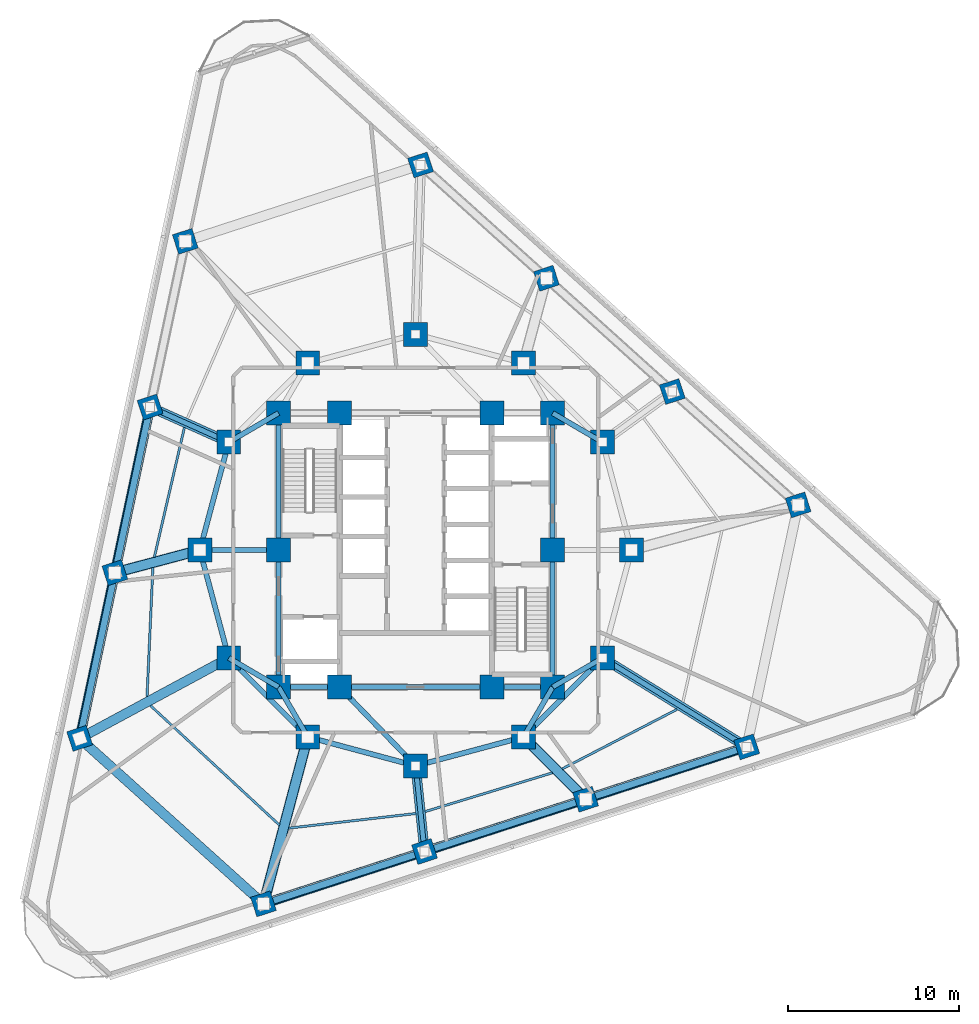
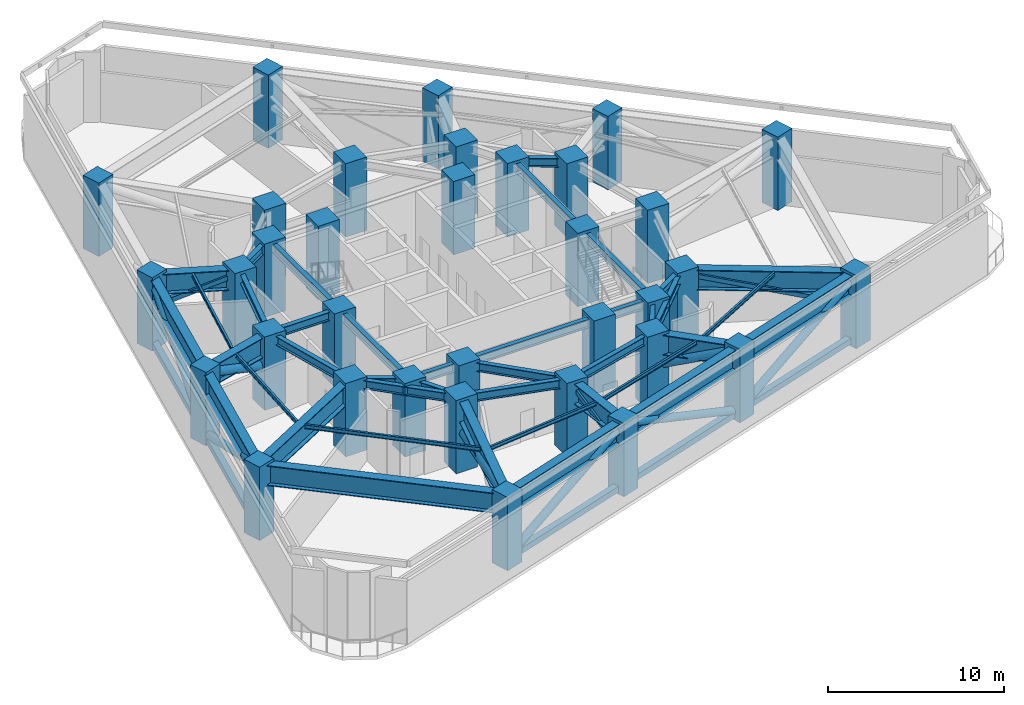
# One storey, part 1 of 10: 40 beams, 34 columns, 16 members.
"""IFC4 building model written with IfcOpenShell, lengths in metres."""

from ifc_helpers import new_model, si_unit, direction, frame, origin, origin_2d, place, context, subcontext, project, spatial, rectangle, hollow_rectangle, hollow_circle, i_section, extrude, material, material_profile, profile_set, type_object, element, save


model = new_model("IFC4")

# Units and contexts
model_context = context("Model", 3, precision=1e-05, world=origin(), true_north=direction((0.0, 1.0)))
body_context = subcontext(model_context, "Body", "Model", "MODEL_VIEW")
ifc_project = project(units=[si_unit("LENGTHUNIT", "METRE"), si_unit("AREAUNIT", "SQUARE_METRE"), si_unit("VOLUMEUNIT", "CUBIC_METRE"), si_unit("PLANEANGLEUNIT", "RADIAN"), si_unit("MASSUNIT", "GRAM", prefix="KILO")], contexts=[model_context])

# Site, building, storey
site_placement = place(None, origin())
site = spatial("IfcSite", under=ifc_project, at=site_placement, CompositionType="ELEMENT")
building_placement = place(site_placement, origin())
building = spatial("IfcBuilding", under=site, at=building_placement, Name="Terralouvre Media Tower", CompositionType="ELEMENT")
storey_placement = place(building_placement, frame((0.0, 0.0, 85.199951171875)))
storey = spatial("IfcBuildingStorey", under=building, at=storey_placement, Name="L21", CompositionType="ELEMENT", Elevation=85.199951171875)

# Columns
ifc_material_1 = material(Name="Concrete C60/75", Category="concrete")
ifc_material_profile_1 = material_profile(ifc_material_1, rectangle(XDim=1.199951171875, YDim=1.199951171875, at=origin_2d()), Name="RC 1200x1200")
ifc_profile_set_1 = profile_set([ifc_material_profile_1], Name="Concrete C60/75")
column_type_1 = type_object("IfcColumnType", Name="Structural Column C-RC1200 (RC 1200x1200)", PredefinedType="COLUMN", material=ifc_profile_set_1)
for number, where, z_axis, x_axis, name in (
    (1, (-8.883056640625, -20.658203125, 0.0), (0.0, 0.0, 1.0), (0.951056516295, 0.309016994375, 0.0), "L21 Perimeter Mega-Column PC11"),
    (2, (0.52099609375, -17.6025390625, 0.0), (0.0, 0.0, 1.0), (0.951056516295, 0.309016994375, 0.0), "L21 Perimeter Mega-Column PC12"),
    (3, (9.925048828125, -14.547119140625, 0.0), (0.0, 0.0, 1.0), (0.951056516295, 0.309016994375, 0.0), "L21 Perimeter Mega-Column PC13"),
    (4, (19.3291015625, -11.491455078125, 0.0), (0.0, 0.0, 1.0), (0.951056516295, 0.309016994375, 0.0), "L21 Perimeter Mega-Column PC14"),
    (5, (22.33203125, 2.63623046875, 0.0), (0.0, 0.0, 1.0), (0.951056516295, 0.309016994375, 0.0), "L21 Perimeter Mega-Column PC21"),
    (6, (14.98388671875, 9.25244140625, 0.0), (0.0, 0.0, 1.0), (0.951056516295, 0.309016994375, 0.0), "L21 Perimeter Mega-Column PC22"),
    (7, (7.635498046875, 15.868896484375, 0.0), (0.0, 0.0, 1.0), (0.951056516295, 0.309016994375, 0.0), "L21 Perimeter Mega-Column PC23"),
    (8, (0.287353515625, 22.4853515625, 0.0), (0.0, 0.0, 1.0), (0.951056516295, 0.309016994375, 0.0), "L21 Perimeter Mega-Column PC24"),
    (9, (-13.448974609375, 18.02197265625, 0.0), (0.0, 0.0, 1.0), (0.951056516295, 0.309016994375, 0.0), "L21 Perimeter Mega-Column PC31"),
    (10, (-15.5048828125, 8.35009765625, 0.0), (0.0, 0.0, 1.0), (0.951056516295, 0.309016994375, 0.0), "L21 Perimeter Mega-Column PC32"),
    (11, (-17.560791015625, -1.32177734375, 0.0), (0.0, 0.0, 1.0), (0.951056516295, 0.309016994375, 0.0), "L21 Perimeter Mega-Column PC33"),
    (12, (-19.616455078125, -10.99365234375, 0.0), (0.0, 0.0, 1.0), (0.951056516295, 0.309016994375, 0.0), "L21 Perimeter Mega-Column PC34"),
):
    element("IfcColumn", number, at=place(storey_placement, frame(where, z_axis=z_axis, x_axis=x_axis)), inside=storey, type_object=column_type_1, Name=name, PredefinedType="COLUMN", context=body_context, shape_type="SweptSolid", body=[
        extrude(rectangle(XDim=1.199951171875, YDim=1.199951171875, at=origin_2d()), origin(), (0.0, 0.0, 1.0), 5.10009765625),
    ])
ifc_material_2 = material(Name="Concrete C60/75", Category="concrete")
ifc_material_profile_2 = material_profile(ifc_material_2, rectangle(XDim=1.39990234375, YDim=1.39990234375, at=origin_2d()), Name="RC 1400x1400")
ifc_profile_set_2 = profile_set([ifc_material_profile_2], Name="Concrete C60/75")
column_type_2 = type_object("IfcColumnType", Name="Structural Column C-RC1400 (RC 1400x1400)", PredefinedType="COLUMN", material=ifc_profile_set_2)
for number, where, z_axis, x_axis, name in (
    (13, (-8.0, -8.0, 0.0), (0.0, 0.0, 1.0), (1.0, 0.0, 0.0), "L21 Core Pilaster Column CP1"),
    (14, (-4.449951171875, -8.0, 0.0), (0.0, 0.0, 1.0), (1.0, 0.0, 0.0), "L21 Core Pilaster Column CP2"),
    (15, (4.449951171875, -8.0, 0.0), (0.0, 0.0, 1.0), (1.0, 0.0, 0.0), "L21 Core Pilaster Column CP10"),
    (16, (8.0, -8.0, 0.0), (0.0, 0.0, 1.0), (1.0, 0.0, 0.0), "L21 Core Pilaster Column CP3"),
    (17, (8.0, 0.0, 0.0), (0.0, 0.0, 1.0), (1.0, 0.0, 0.0), "L21 Core Pilaster Column CP4"),
    (18, (8.0, 8.0, 0.0), (0.0, 0.0, 1.0), (1.0, 0.0, 0.0), "L21 Core Pilaster Column CP5"),
    (19, (4.449951171875, 8.0, 0.0), (0.0, 0.0, 1.0), (1.0, 0.0, 0.0), "L21 Core Pilaster Column CP9"),
    (20, (-4.449951171875, 8.0, 0.0), (0.0, 0.0, 1.0), (1.0, 0.0, 0.0), "L21 Core Pilaster Column CP6"),
    (21, (-8.0, 8.0, 0.0), (0.0, 0.0, 1.0), (1.0, 0.0, 0.0), "L21 Core Pilaster Column CP7"),
    (22, (-8.0, 0.0, 0.0), (0.0, 0.0, 1.0), (1.0, 0.0, 0.0), "L21 Core Pilaster Column CP8"),
    (23, (12.60009765625, 0.0, 0.0), (0.0, 0.0, 1.0), (1.0, 0.0, 0.0), "L21 Mega-Frame Column MC01"),
    (24, (10.911865234375, 6.300048828125, 0.0), (0.0, 0.0, 1.0), (1.0, 0.0, 0.0), "L21 Mega-Frame Column MC02"),
    (25, (6.300048828125, 10.911865234375, 0.0), (0.0, 0.0, 1.0), (1.0, 0.0, 0.0), "L21 Mega-Frame Column MC03"),
    (26, (0.0, 12.60009765625, 0.0), (0.0, 0.0, 1.0), (1.0, 0.0, 0.0), "L21 Mega-Frame Column MC04"),
    (27, (-6.300048828125, 10.911865234375, 0.0), (0.0, 0.0, 1.0), (1.0, 0.0, 0.0), "L21 Mega-Frame Column MC05"),
    (28, (-10.911865234375, 6.300048828125, 0.0), (0.0, 0.0, 1.0), (1.0, 0.0, 0.0), "L21 Mega-Frame Column MC06"),
    (29, (-12.60009765625, 0.0, 0.0), (0.0, 0.0, 1.0), (1.0, 0.0, 0.0), "L21 Mega-Frame Column MC07"),
    (30, (-10.911865234375, -6.300048828125, 0.0), (0.0, 0.0, 1.0), (1.0, 0.0, 0.0), "L21 Mega-Frame Column MC08"),
    (31, (-6.300048828125, -10.911865234375, 0.0), (0.0, 0.0, 1.0), (1.0, 0.0, 0.0), "L21 Mega-Frame Column MC09"),
    (32, (0.0, -12.60009765625, 0.0), (0.0, 0.0, 1.0), (1.0, 0.0, 0.0), "L21 Mega-Frame Column MC10"),
    (33, (6.300048828125, -10.911865234375, 0.0), (0.0, 0.0, 1.0), (1.0, 0.0, 0.0), "L21 Mega-Frame Column MC11"),
    (34, (10.911865234375, -6.300048828125, 0.0), (0.0, 0.0, 1.0), (1.0, 0.0, 0.0), "L21 Mega-Frame Column MC12"),
):
    element("IfcColumn", number, at=place(storey_placement, frame(where, z_axis=z_axis, x_axis=x_axis)), inside=storey, type_object=column_type_2, Name=name, PredefinedType="COLUMN", context=body_context, shape_type="SweptSolid", body=[
        extrude(rectangle(XDim=1.39990234375, YDim=1.39990234375, at=origin_2d()), origin(), (0.0, 0.0, 1.0), 5.10009765625),
    ])

# Members
ifc_material_3 = material(Name="Structural steel S460M", Category="steel")
ifc_material_profile_3 = material_profile(ifc_material_3, hollow_circle(Radius=0.25390625, WallThickness=0.02490234375, at=origin_2d()), Name="CHS 508x25")
ifc_profile_set_3 = profile_set([ifc_material_profile_3], Name="Structural steel S460M")
member_type_1 = type_object("IfcMemberType", Name="Belt and Outrigger Brace BR-CHS508 (CHS 508x25)", PredefinedType="BRACE", material=ifc_profile_set_3)
for number, where, z_axis, x_axis, name in (
    (35, (-8.883056640625, -20.658203125, 0.35009765625), (0.875362455238, 0.284432007315, 0.39094629449), (-0.309026334389, 0.95105348149, 0.0), "L21 Belt-Truss Diagonal Brace BT01"),
    (36, (0.52099609375, -17.6025390625, 4.550048828125), (0.875368113279, 0.284411120166, -0.390948821432), (-0.309004001506, 0.951060737836, 0.0), "L21 Belt-Truss Diagonal Brace BT02"),
    (37, (9.925048828125, -14.547119140625, 0.35009765625), (0.875362455238, 0.284432007315, 0.39094629449), (-0.309026334389, 0.95105348149, 0.0), "L21 Belt-Truss Diagonal Brace BT03"),
    (38, (-15.5048828125, 8.35009765625, 4.550048828125), (-0.19137233219, -0.900297626413, -0.39094860832), (0.97814579678, -0.207920177572, 0.0), "L21 Belt-Truss Diagonal Brace BT08"),
    (39, (-17.560791015625, -1.32177734375, 0.35009765625), (-0.191350438729, -0.900301541648, 0.390950308486), (0.978150818017, -0.207896554112, 0.0), "L21 Belt-Truss Diagonal Brace BT09"),
):
    element("IfcMember", number, at=place(storey_placement, frame(where, z_axis=z_axis, x_axis=x_axis)), inside=storey, type_object=member_type_1, Name=name, PredefinedType="BRACE", context=body_context, shape_type="SweptSolid", body=[
        extrude(hollow_circle(Radius=0.25390625, WallThickness=0.02490234375, at=origin_2d()), origin(), (0.0, 0.0, 1.0), 10.742919921875),
    ])
ifc_material_4 = material(Name="Structural steel S460M", Category="steel")
ifc_material_profile_4 = material_profile(ifc_material_4, hollow_circle(Radius=0.304931640625, WallThickness=0.030029296875, at=origin_2d()), Name="CHS 610x30")
ifc_profile_set_4 = profile_set([ifc_material_profile_4], Name="Structural steel S460M")
member_type_2 = type_object("IfcMemberType", Name="Belt and Outrigger Brace BR-CHS610 (CHS 610x30)", PredefinedType="BRACE", material=ifc_profile_set_4)
member_1_placement = place(storey_placement, frame((-6.300048828125, -10.911865234375, 2.550048828125), z_axis=(-0.251283623632, -0.94815628913, 0.194566677201), x_axis=(0.966629256144, -0.25617939255, 0.0)))
element("IfcMember", 40, at=member_1_placement, inside=storey, type_object=member_type_2, Name="L21 Outrigger Diagonal Brace OR01", PredefinedType="BRACE", context=body_context, shape_type="SweptSolid", body=[
    extrude(hollow_circle(Radius=0.304931640625, WallThickness=0.030029296875, at=origin_2d()), origin(), (0.0, 0.0, 1.0), 10.279296875),
])
for number, where, z_axis, x_axis, name in (
    (41, (6.300048828125, -10.911865234375, 2.550048828125), (0.65794245915, -0.659803557162, 0.363002736083), (0.708104746185, 0.706107405732, 0.0), "L21 Outrigger Diagonal Brace OR02"),
    (42, (-12.60009765625, 0.0, 2.550048828125), (-0.90037444063, -0.23990487827, 0.363003465606), (0.257467291449, -0.966287014212, 0.0), "L21 Outrigger Diagonal Brace OR06"),
):
    element("IfcMember", number, at=place(storey_placement, frame(where, z_axis=z_axis, x_axis=x_axis)), inside=storey, type_object=member_type_2, Name=name, PredefinedType="BRACE", context=body_context, shape_type="SweptSolid", body=[
        extrude(hollow_circle(Radius=0.304931640625, WallThickness=0.030029296875, at=origin_2d()), origin(), (0.0, 0.0, 1.0), 5.509521484375),
    ])

# Beams
ifc_material_5 = material(Name="Structural steel S355J2", Category="steel")
ifc_material_profile_5 = material_profile(ifc_material_5, i_section(OverallWidth=0.135009765625, OverallDepth=0.27001953125, WebThickness=0.006591796875, FlangeThickness=0.01025390625, at=origin_2d()), Name="IPE 270")
ifc_profile_set_5 = profile_set([ifc_material_profile_5], Name="Structural steel S355J2")
beam_type_1 = type_object("IfcBeamType", Name="Composite Floor Joist J-IPE270 (IPE 270)", PredefinedType="JOIST", material=ifc_profile_set_5)
beam_1_placement = place(storey_placement, frame((-15.341552734375, -1.018310546875, 4.76513671875), z_axis=(-0.045451683491, -0.998966538212, 0.0), x_axis=(0.998966538212, -0.045451683491, 0.0)))
element("IfcBeam", 43, at=beam_1_placement, inside=storey, type_object=beam_type_1, Name="L21 Framing Beam JT-L21-01", PredefinedType="JOIST", context=body_context, shape_type="SweptSolid", body=[
    extrude(i_section(OverallWidth=0.135009765625, OverallDepth=0.27001953125, WebThickness=0.006591796875, FlangeThickness=0.01025390625, at=origin_2d()), origin(), (0.0, 0.0, 1.0), 7.546875),
])
beam_2_placement = place(storey_placement, frame((-15.48388671875, -9.081298828125, 4.76513671875), z_axis=(0.7336263107, -0.679553115104, 0.0), x_axis=(0.679553115104, 0.7336263107, 0.0)))
element("IfcBeam", 44, at=beam_2_placement, inside=storey, type_object=beam_type_1, Name="L21 Framing Beam JT-L21-02", PredefinedType="JOIST", context=body_context, shape_type="SweptSolid", body=[
    extrude(i_section(OverallWidth=0.135009765625, OverallDepth=0.27001953125, WebThickness=0.006591796875, FlangeThickness=0.01025390625, at=origin_2d()), origin(), (0.0, 0.0, 1.0), 10.26708984375),
])
beam_3_placement = place(storey_placement, frame((-7.423828125, -16.23828125, 4.76513671875), z_axis=(0.993451447392, 0.114255072866, 0.0), x_axis=(-0.114255072866, 0.993451447392, 0.0)))
element("IfcBeam", 45, at=beam_3_placement, inside=storey, type_object=beam_type_1, Name="L21 Framing Beam JT-L21-03", PredefinedType="JOIST", context=body_context, shape_type="SweptSolid", body=[
    extrude(i_section(OverallWidth=0.135009765625, OverallDepth=0.27001953125, WebThickness=0.006591796875, FlangeThickness=0.01025390625, at=origin_2d()), origin(), (0.0, 0.0, 1.0), 7.483154296875),
])
beam_4_placement = place(storey_placement, frame((0.5576171875, -15.268798828125, 4.76513671875), z_axis=(0.956571489727, 0.291497830252, 0.0), x_axis=(-0.291497830252, 0.956571489727, 0.0)))
element("IfcBeam", 46, at=beam_4_placement, inside=storey, type_object=beam_type_1, Name="L21 Framing Beam JT-L21-04", PredefinedType="JOIST", context=body_context, shape_type="SweptSolid", body=[
    extrude(i_section(OverallWidth=0.135009765625, OverallDepth=0.27001953125, WebThickness=0.006591796875, FlangeThickness=0.01025390625, at=origin_2d()), origin(), (0.0, 0.0, 1.0), 7.7724609375),
])
beam_5_placement = place(storey_placement, frame((8.552734375, -12.777099609375, 4.76513671875), z_axis=(0.887863690326, 0.460106582653, 0.0), x_axis=(-0.460106582653, 0.887863690326, 0.0)))
element("IfcBeam", 47, at=beam_5_placement, inside=storey, type_object=beam_type_1, Name="L21 Framing Beam JT-L21-05", PredefinedType="JOIST", context=body_context, shape_type="SweptSolid", body=[
    extrude(i_section(OverallWidth=0.135009765625, OverallDepth=0.27001953125, WebThickness=0.006591796875, FlangeThickness=0.01025390625, at=origin_2d()), origin(), (0.0, 0.0, 1.0), 7.546875),
])
beam_6_placement = place(storey_placement, frame((-13.501953125, 7.151611328125, 4.76513671875), z_axis=(-0.22584123423, -0.974164122169, 0.0), x_axis=(0.974164122169, -0.22584123423, 0.0)))
element("IfcBeam", 48, at=beam_6_placement, inside=storey, type_object=beam_type_1, Name="L21 Framing Beam JT-L21-12", PredefinedType="JOIST", context=body_context, shape_type="SweptSolid", body=[
    extrude(i_section(OverallWidth=0.135009765625, OverallDepth=0.27001953125, WebThickness=0.006591796875, FlangeThickness=0.01025390625, at=origin_2d()), origin(), (0.0, 0.0, 1.0), 7.772705078125),
])

# Members
ifc_material_6 = material(Name="Structural steel S355J2", Category="steel")
ifc_material_profile_6 = material_profile(ifc_material_6, hollow_rectangle(XDim=0.300048828125, YDim=0.300048828125, WallThickness=0.01611328125, at=origin_2d()), Name="SHS 300x300x16")
ifc_profile_set_6 = profile_set([ifc_material_profile_6], Name="Structural steel S355J2")
member_type_3 = type_object("IfcMemberType", Name="Portal Knee-Brace Strut ST-SHS300 (SHS 300x300x16)", PredefinedType="STRUT", material=ifc_profile_set_6)
member_2_placement = place(storey_placement, frame((0.0, -12.60009765625, 4.550048828125), z_axis=(0.096256787636, -0.924227543893, -0.369510592463), x_axis=(0.994620284536, 0.103588076486, 0.0)))
element("IfcMember", 49, at=member_2_placement, inside=storey, type_object=member_type_3, Name="L21 Refuge Outrigger Knee-Brace Strut 01", PredefinedType="STRUT", context=body_context, shape_type="SweptSolid", body=[
    extrude(hollow_rectangle(XDim=0.300048828125, YDim=0.300048828125, WallThickness=0.01611328125, at=origin_2d()), origin(), (0.0, 0.0, 1.0), 5.41259765625),
])
member_3_placement = place(storey_placement, frame((10.911865234375, -6.300048828125, 4.550048828125), z_axis=(0.834246559055, -0.514529072476, -0.198223389848), x_axis=(0.524945637565, 0.851135757445, 0.0)))
element("IfcMember", 50, at=member_3_placement, inside=storey, type_object=member_type_3, Name="L21 Refuge Outrigger Knee-Brace Strut 02", PredefinedType="STRUT", context=body_context, shape_type="SweptSolid", body=[
    extrude(hollow_rectangle(XDim=0.300048828125, YDim=0.300048828125, WallThickness=0.01611328125, at=origin_2d()), origin(), (0.0, 0.0, 1.0), 10.089599609375),
])
member_4_placement = place(storey_placement, frame((-10.911865234375, 6.300048828125, 4.550048828125), z_axis=(-0.848545892033, 0.378740225132, -0.36949385784), x_axis=(-0.407583625196, -0.913167886247, 0.0)))
element("IfcMember", 51, at=member_4_placement, inside=storey, type_object=member_type_3, Name="L21 Refuge Outrigger Knee-Brace Strut 05", PredefinedType="STRUT", context=body_context, shape_type="SweptSolid", body=[
    extrude(hollow_rectangle(XDim=0.300048828125, YDim=0.300048828125, WallThickness=0.01611328125, at=origin_2d()), origin(), (0.0, 0.0, 1.0), 5.412841796875),
])

# Beams
ifc_material_7 = material(Name="Structural steel S460M", Category="steel")
ifc_material_profile_7 = material_profile(ifc_material_7, i_section(OverallWidth=0.300048828125, OverallDepth=0.60009765625, WebThickness=0.015380859375, FlangeThickness=0.030029296875, at=origin_2d()), Name="HEB 600")
ifc_profile_set_7 = profile_set([ifc_material_profile_7], Name="Structural steel S460M")
beam_type_2 = type_object("IfcBeamType", Name="Primary Floor Girder B-HEB600 (HEB 600)", PredefinedType="BEAM", material=ifc_profile_set_7)
beam_7_placement = place(storey_placement, frame((-8.0, -8.0, 4.60009765625), z_axis=(1.0, 0.0, 0.0), x_axis=(0.0, 1.0, 0.0)))
element("IfcBeam", 52, at=beam_7_placement, inside=storey, type_object=beam_type_2, Name="L21 Framing Beam BM-L21-CPR01", PredefinedType="BEAM", context=body_context, shape_type="SweptSolid", body=[
    extrude(i_section(OverallWidth=0.300048828125, OverallDepth=0.60009765625, WebThickness=0.015380859375, FlangeThickness=0.030029296875, at=origin_2d()), origin(), (0.0, 0.0, 1.0), 3.550048828125),
])
beam_8_placement = place(storey_placement, frame((-4.449951171875, -8.0, 4.60009765625), z_axis=(1.0, 0.0, 0.0), x_axis=(0.0, 1.0, 0.0)))
element("IfcBeam", 53, at=beam_8_placement, inside=storey, type_object=beam_type_2, Name="L21 Framing Beam BM-L21-CPR02", PredefinedType="BEAM", context=body_context, shape_type="SweptSolid", body=[
    extrude(i_section(OverallWidth=0.300048828125, OverallDepth=0.60009765625, WebThickness=0.015380859375, FlangeThickness=0.030029296875, at=origin_2d()), origin(), (0.0, 0.0, 1.0), 8.89990234375),
])
beam_9_placement = place(storey_placement, frame((4.449951171875, -8.0, 4.60009765625), z_axis=(1.0, 0.0, 0.0), x_axis=(0.0, 1.0, 0.0)))
element("IfcBeam", 54, at=beam_9_placement, inside=storey, type_object=beam_type_2, Name="L21 Framing Beam BM-L21-CPR03", PredefinedType="BEAM", context=body_context, shape_type="SweptSolid", body=[
    extrude(i_section(OverallWidth=0.300048828125, OverallDepth=0.60009765625, WebThickness=0.015380859375, FlangeThickness=0.030029296875, at=origin_2d()), origin(), (0.0, 0.0, 1.0), 3.550048828125),
])
for number, where, z_axis, x_axis, name in (
    (55, (8.0, -8.0, 4.60009765625), (0.0, 1.0, 0.0), (-1.0, 0.0, 0.0), "L21 Framing Beam BM-L21-CPR04"),
    (56, (8.0, 0.0, 4.60009765625), (0.0, 1.0, 0.0), (-1.0, 0.0, 0.0), "L21 Framing Beam BM-L21-CPR05"),
    (57, (-8.0, 8.0, 4.60009765625), (0.0, -1.0, 0.0), (1.0, 0.0, 0.0), "L21 Framing Beam BM-L21-CPR09"),
    (58, (-8.0, 0.0, 4.60009765625), (0.0, -1.0, 0.0), (1.0, 0.0, 0.0), "L21 Framing Beam BM-L21-CPR10"),
):
    element("IfcBeam", number, at=place(storey_placement, frame(where, z_axis=z_axis, x_axis=x_axis)), inside=storey, type_object=beam_type_2, Name=name, PredefinedType="BEAM", context=body_context, shape_type="SweptSolid", body=[
        extrude(i_section(OverallWidth=0.300048828125, OverallDepth=0.60009765625, WebThickness=0.015380859375, FlangeThickness=0.030029296875, at=origin_2d()), origin(), (0.0, 0.0, 1.0), 8.0),
    ])
beam_10_placement = place(storey_placement, frame((-10.911865234375, -6.300048828125, 4.60009765625), z_axis=(0.707106781187, -0.707106781187, 0.0), x_axis=(0.707106781187, 0.707106781187, 0.0)))
element("IfcBeam", 59, at=beam_10_placement, inside=storey, type_object=beam_type_2, Name="L21 Framing Beam BM-L21-MR01", PredefinedType="BEAM", context=body_context, shape_type="SweptSolid", body=[
    extrude(i_section(OverallWidth=0.300048828125, OverallDepth=0.60009765625, WebThickness=0.015380859375, FlangeThickness=0.030029296875, at=origin_2d()), origin(), (0.0, 0.0, 1.0), 6.52197265625),
])
for number, where, z_axis, x_axis, name in (
    (60, (-6.300048828125, -10.911865234375, 4.60009765625), (0.965920481897, -0.258838989821, 0.0), (0.258838989821, 0.965920481897, 0.0), "L21 Framing Beam BM-L21-MR02"),
    (61, (0.0, -12.60009765625, 4.60009765625), (0.965920481897, 0.258838989821, 0.0), (-0.258838989821, 0.965920481897, 0.0), "L21 Framing Beam BM-L21-MR03"),
):
    element("IfcBeam", number, at=place(storey_placement, frame(where, z_axis=z_axis, x_axis=x_axis)), inside=storey, type_object=beam_type_2, Name=name, PredefinedType="BEAM", context=body_context, shape_type="SweptSolid", body=[
        extrude(i_section(OverallWidth=0.300048828125, OverallDepth=0.60009765625, WebThickness=0.015380859375, FlangeThickness=0.030029296875, at=origin_2d()), origin(), (0.0, 0.0, 1.0), 6.522216796875),
    ])
beam_11_placement = place(storey_placement, frame((6.300048828125, -10.911865234375, 4.60009765625), z_axis=(0.707106781187, 0.707106781187, 0.0), x_axis=(-0.707106781187, 0.707106781187, 0.0)))
element("IfcBeam", 62, at=beam_11_placement, inside=storey, type_object=beam_type_2, Name="L21 Framing Beam BM-L21-MR04", PredefinedType="BEAM", context=body_context, shape_type="SweptSolid", body=[
    extrude(i_section(OverallWidth=0.300048828125, OverallDepth=0.60009765625, WebThickness=0.015380859375, FlangeThickness=0.030029296875, at=origin_2d()), origin(), (0.0, 0.0, 1.0), 6.52197265625),
])
for number, where, z_axis, x_axis, name in (
    (63, (-10.911865234375, 6.300048828125, 4.60009765625), (-0.258838989821, -0.965920481897, 0.0), (0.965920481897, -0.258838989821, 0.0), "L21 Framing Beam BM-L21-MR11"),
    (64, (-12.60009765625, 0.0, 4.60009765625), (0.258838989821, -0.965920481897, 0.0), (0.965920481897, 0.258838989821, 0.0), "L21 Framing Beam BM-L21-MR12"),
):
    element("IfcBeam", number, at=place(storey_placement, frame(where, z_axis=z_axis, x_axis=x_axis)), inside=storey, type_object=beam_type_2, Name=name, PredefinedType="BEAM", context=body_context, shape_type="SweptSolid", body=[
        extrude(i_section(OverallWidth=0.300048828125, OverallDepth=0.60009765625, WebThickness=0.015380859375, FlangeThickness=0.030029296875, at=origin_2d()), origin(), (0.0, 0.0, 1.0), 6.522216796875),
    ])
for number, where, z_axis, x_axis, name in (
    (65, (-8.0, -8.0, 4.60009765625), (-0.863602894532, 0.504172629717, 0.0), (-0.504172629717, -0.863602894532, 0.0), "L21 Framing Beam BM-L21-CM01"),
    (66, (-8.0, -8.0, 4.60009765625), (0.504172629717, -0.863602894532, 0.0), (0.863602894532, 0.504172629717, 0.0), "L21 Framing Beam BM-L21-CM02"),
):
    element("IfcBeam", number, at=place(storey_placement, frame(where, z_axis=z_axis, x_axis=x_axis)), inside=storey, type_object=beam_type_2, Name=name, PredefinedType="BEAM", context=body_context, shape_type="SweptSolid", body=[
        extrude(i_section(OverallWidth=0.300048828125, OverallDepth=0.60009765625, WebThickness=0.015380859375, FlangeThickness=0.030029296875, at=origin_2d()), origin(), (0.0, 0.0, 1.0), 3.371826171875),
    ])
beam_12_placement = place(storey_placement, frame((-4.449951171875, -8.0, 4.60009765625), z_axis=(0.695279715726, -0.718739255155, 0.0), x_axis=(0.718739255155, 0.695279715726, 0.0)))
element("IfcBeam", 67, at=beam_12_placement, inside=storey, type_object=beam_type_2, Name="L21 Framing Beam BM-L21-CM03", PredefinedType="BEAM", context=body_context, shape_type="SweptSolid", body=[
    extrude(i_section(OverallWidth=0.300048828125, OverallDepth=0.60009765625, WebThickness=0.015380859375, FlangeThickness=0.030029296875, at=origin_2d()), origin(), (0.0, 0.0, 1.0), 6.400146484375),
])
for number, where, z_axis, x_axis, name in (
    (68, (8.0, -8.0, 4.60009765625), (-0.504172629717, -0.863602894532, 0.0), (0.863602894532, -0.504172629717, 0.0), "L21 Framing Beam BM-L21-CM04"),
    (69, (8.0, -8.0, 4.60009765625), (0.863602894532, 0.504172629717, 0.0), (-0.504172629717, 0.863602894532, 0.0), "L21 Framing Beam BM-L21-CM05"),
    (70, (8.0, 8.0, 4.60009765625), (0.863602894532, -0.504172629717, 0.0), (0.504172629717, 0.863602894532, 0.0), "L21 Framing Beam BM-L21-CM07"),
    (71, (-8.0, 8.0, 4.60009765625), (-0.863602894532, -0.504172629717, 0.0), (0.504172629717, -0.863602894532, 0.0), "L21 Framing Beam BM-L21-CM11"),
):
    element("IfcBeam", number, at=place(storey_placement, frame(where, z_axis=z_axis, x_axis=x_axis)), inside=storey, type_object=beam_type_2, Name=name, PredefinedType="BEAM", context=body_context, shape_type="SweptSolid", body=[
        extrude(i_section(OverallWidth=0.300048828125, OverallDepth=0.60009765625, WebThickness=0.015380859375, FlangeThickness=0.030029296875, at=origin_2d()), origin(), (0.0, 0.0, 1.0), 3.371826171875),
    ])
beam_13_placement = place(storey_placement, frame((-8.0, 0.0, 4.60009765625), z_axis=(-1.0, 0.0, 0.0), x_axis=(0.0, -1.0, 0.0)))
element("IfcBeam", 72, at=beam_13_placement, inside=storey, type_object=beam_type_2, Name="L21 Framing Beam BM-L21-CM12", PredefinedType="BEAM", context=body_context, shape_type="SweptSolid", body=[
    extrude(i_section(OverallWidth=0.300048828125, OverallDepth=0.60009765625, WebThickness=0.015380859375, FlangeThickness=0.030029296875, at=origin_2d()), origin(), (0.0, 0.0, 1.0), 4.60009765625),
])

# Members
ifc_material_8 = material(Name="Structural steel S460M", Category="steel")
ifc_material_profile_8 = material_profile(ifc_material_8, hollow_rectangle(XDim=0.39990234375, YDim=0.39990234375, WallThickness=0.02001953125, at=origin_2d()), Name="SHS 400x400x20")
ifc_profile_set_8 = profile_set([ifc_material_profile_8], Name="Structural steel S460M")
member_type_4 = type_object("IfcMemberType", Name="Truss Chord Member CH-SHS400 (SHS 400x400x20)", PredefinedType="CHORD", material=ifc_profile_set_8)
for number, where, z_axis, x_axis, name in (
    (73, (-8.883056640625, -20.658203125, 0.35009765625), (0.95105348149, 0.309026334389, 0.0), (-0.309026334389, 0.95105348149, 0.0), "L21 Belt-Truss Bottom Chord 01"),
    (74, (0.52099609375, -17.6025390625, 0.35009765625), (0.951060737836, 0.309004001506, 0.0), (-0.309004001506, 0.951060737836, 0.0), "L21 Belt-Truss Bottom Chord 02"),
    (75, (9.925048828125, -14.547119140625, 0.35009765625), (0.95105348149, 0.309026334389, 0.0), (-0.309026334389, 0.95105348149, 0.0), "L21 Belt-Truss Bottom Chord 03"),
    (76, (-15.5048828125, 8.35009765625, 0.35009765625), (-0.207920177572, -0.97814579678, 0.0), (0.97814579678, -0.207920177572, 0.0), "L21 Belt-Truss Bottom Chord 08"),
    (77, (-17.560791015625, -1.32177734375, 0.35009765625), (-0.207896554112, -0.978150818017, 0.0), (0.978150818017, -0.207896554112, 0.0), "L21 Belt-Truss Bottom Chord 09"),
):
    element("IfcMember", number, at=place(storey_placement, frame(where, z_axis=z_axis, x_axis=x_axis)), inside=storey, type_object=member_type_4, Name=name, PredefinedType="CHORD", context=body_context, shape_type="SweptSolid", body=[
        extrude(hollow_rectangle(XDim=0.39990234375, YDim=0.39990234375, WallThickness=0.02001953125, at=origin_2d()), origin(), (0.0, 0.0, 1.0), 9.887939453125),
    ])

# Beams
ifc_material_9 = material(Name="Structural steel S460M", Category="steel")
ifc_material_profile_9 = material_profile(ifc_material_9, i_section(OverallWidth=0.56005859375, OverallDepth=1.39990234375, WebThickness=0.031982421875, FlangeThickness=0.050048828125, at=origin_2d()), Name="TG 1400x560")
ifc_profile_set_9 = profile_set([ifc_material_profile_9], Name="Structural steel S460M")
beam_type_3 = type_object("IfcBeamType", Name="Welded Transfer Girder TG-1400 (TG 1400x560)", PredefinedType="USERDEFINED", material=ifc_profile_set_9)
beam_14_placement = place(storey_placement, frame((-17.560791015625, -1.32177734375, 4.199951171875), z_axis=(-0.207896554112, -0.978150818017, 0.0), x_axis=(0.978150818017, -0.207896554112, 0.0)))
element("IfcBeam", 78, at=beam_14_placement, inside=storey, type_object=beam_type_3, Name="L21 Framing Beam BM-L21-PR01", ObjectType="TRANSFER GIRDER", PredefinedType="USERDEFINED", context=body_context, shape_type="SweptSolid", body=[
    extrude(i_section(OverallWidth=0.56005859375, OverallDepth=1.39990234375, WebThickness=0.031982421875, FlangeThickness=0.050048828125, at=origin_2d()), origin(), (0.0, 0.0, 1.0), 9.887939453125),
])
beam_15_placement = place(storey_placement, frame((-19.616455078125, -10.99365234375, 4.199951171875), z_axis=(0.743139474617, -0.669136549044, 0.0), x_axis=(0.669136549044, 0.743139474617, 0.0)))
element("IfcBeam", 79, at=beam_15_placement, inside=storey, type_object=beam_type_3, Name="L21 Framing Beam BM-L21-PR02", ObjectType="TRANSFER GIRDER", PredefinedType="USERDEFINED", context=body_context, shape_type="SweptSolid", body=[
    extrude(i_section(OverallWidth=0.56005859375, OverallDepth=1.39990234375, WebThickness=0.031982421875, FlangeThickness=0.050048828125, at=origin_2d()), origin(), (0.0, 0.0, 1.0), 14.443359375),
])
for number, where, z_axis, x_axis, name in (
    (80, (-8.883056640625, -20.658203125, 4.199951171875), (0.95105348149, 0.309026334389, 0.0), (-0.309026334389, 0.95105348149, 0.0), "L21 Framing Beam BM-L21-PR03"),
    (81, (0.52099609375, -17.6025390625, 4.199951171875), (0.951060737836, 0.309004001506, 0.0), (-0.309004001506, 0.951060737836, 0.0), "L21 Framing Beam BM-L21-PR04"),
    (82, (9.925048828125, -14.547119140625, 4.199951171875), (0.95105348149, 0.309026334389, 0.0), (-0.309026334389, 0.95105348149, 0.0), "L21 Framing Beam BM-L21-PR05"),
    (83, (-15.5048828125, 8.35009765625, 4.199951171875), (-0.207920177572, -0.97814579678, 0.0), (0.97814579678, -0.207920177572, 0.0), "L21 Framing Beam BM-L21-PR12"),
):
    element("IfcBeam", number, at=place(storey_placement, frame(where, z_axis=z_axis, x_axis=x_axis)), inside=storey, type_object=beam_type_3, Name=name, ObjectType="TRANSFER GIRDER", PredefinedType="USERDEFINED", context=body_context, shape_type="SweptSolid", body=[
        extrude(i_section(OverallWidth=0.56005859375, OverallDepth=1.39990234375, WebThickness=0.031982421875, FlangeThickness=0.050048828125, at=origin_2d()), origin(), (0.0, 0.0, 1.0), 9.887939453125),
    ])
beam_16_placement = place(storey_placement, frame((-12.60009765625, 0.0, 4.199951171875), z_axis=(-0.966287014212, -0.257467291449, 0.0), x_axis=(0.257467291449, -0.966287014212, 0.0)))
element("IfcBeam", 84, at=beam_16_placement, inside=storey, type_object=beam_type_3, Name="L21 Framing Beam BM-L21-RD01", ObjectType="TRANSFER GIRDER", PredefinedType="USERDEFINED", context=body_context, shape_type="SweptSolid", body=[
    extrude(i_section(OverallWidth=0.56005859375, OverallDepth=1.39990234375, WebThickness=0.031982421875, FlangeThickness=0.050048828125, at=origin_2d()), origin(), (0.0, 0.0, 1.0), 5.1337890625),
])
beam_17_placement = place(storey_placement, frame((-10.911865234375, -6.300048828125, 4.199951171875), z_axis=(-0.880195882447, -0.47461058619, 0.0), x_axis=(0.47461058619, -0.880195882447, 0.0)))
element("IfcBeam", 85, at=beam_17_placement, inside=storey, type_object=beam_type_3, Name="L21 Framing Beam BM-L21-RD02", ObjectType="TRANSFER GIRDER", PredefinedType="USERDEFINED", context=body_context, shape_type="SweptSolid", body=[
    extrude(i_section(OverallWidth=0.56005859375, OverallDepth=1.39990234375, WebThickness=0.031982421875, FlangeThickness=0.050048828125, at=origin_2d()), origin(), (0.0, 0.0, 1.0), 9.889404296875),
])
beam_18_placement = place(storey_placement, frame((-6.300048828125, -10.911865234375, 4.199951171875), z_axis=(-0.25617939255, -0.966629256144, 0.0), x_axis=(0.966629256144, -0.25617939255, 0.0)))
element("IfcBeam", 86, at=beam_18_placement, inside=storey, type_object=beam_type_3, Name="L21 Framing Beam BM-L21-RD03", ObjectType="TRANSFER GIRDER", PredefinedType="USERDEFINED", context=body_context, shape_type="SweptSolid", body=[
    extrude(i_section(OverallWidth=0.56005859375, OverallDepth=1.39990234375, WebThickness=0.031982421875, FlangeThickness=0.050048828125, at=origin_2d()), origin(), (0.0, 0.0, 1.0), 10.082763671875),
])
beam_19_placement = place(storey_placement, frame((0.0, -12.60009765625, 4.199951171875), z_axis=(0.103588076486, -0.994620284536, 0.0), x_axis=(0.994620284536, 0.103588076486, 0.0)))
element("IfcBeam", 87, at=beam_19_placement, inside=storey, type_object=beam_type_3, Name="L21 Framing Beam BM-L21-RD04", ObjectType="TRANSFER GIRDER", PredefinedType="USERDEFINED", context=body_context, shape_type="SweptSolid", body=[
    extrude(i_section(OverallWidth=0.56005859375, OverallDepth=1.39990234375, WebThickness=0.031982421875, FlangeThickness=0.050048828125, at=origin_2d()), origin(), (0.0, 0.0, 1.0), 5.029541015625),
])
beam_20_placement = place(storey_placement, frame((6.300048828125, -10.911865234375, 4.199951171875), z_axis=(0.706107405732, -0.708104746185, 0.0), x_axis=(0.708104746185, 0.706107405732, 0.0)))
element("IfcBeam", 88, at=beam_20_placement, inside=storey, type_object=beam_type_3, Name="L21 Framing Beam BM-L21-RD05", ObjectType="TRANSFER GIRDER", PredefinedType="USERDEFINED", context=body_context, shape_type="SweptSolid", body=[
    extrude(i_section(OverallWidth=0.56005859375, OverallDepth=1.39990234375, WebThickness=0.031982421875, FlangeThickness=0.050048828125, at=origin_2d()), origin(), (0.0, 0.0, 1.0), 5.1337890625),
])
beam_21_placement = place(storey_placement, frame((10.911865234375, -6.300048828125, 4.199951171875), z_axis=(0.851135757445, -0.524945637565, 0.0), x_axis=(0.524945637565, 0.851135757445, 0.0)))
element("IfcBeam", 89, at=beam_21_placement, inside=storey, type_object=beam_type_3, Name="L21 Framing Beam BM-L21-RD06", ObjectType="TRANSFER GIRDER", PredefinedType="USERDEFINED", context=body_context, shape_type="SweptSolid", body=[
    extrude(i_section(OverallWidth=0.56005859375, OverallDepth=1.39990234375, WebThickness=0.031982421875, FlangeThickness=0.050048828125, at=origin_2d()), origin(), (0.0, 0.0, 1.0), 9.889404296875),
])
beam_22_placement = place(storey_placement, frame((-10.911865234375, 6.300048828125, 4.199951171875), z_axis=(-0.913167886247, 0.407583625196, 0.0), x_axis=(-0.407583625196, -0.913167886247, 0.0)))
element("IfcBeam", 90, at=beam_22_placement, inside=storey, type_object=beam_type_3, Name="L21 Framing Beam BM-L21-RD12", ObjectType="TRANSFER GIRDER", PredefinedType="USERDEFINED", context=body_context, shape_type="SweptSolid", body=[
    extrude(i_section(OverallWidth=0.56005859375, OverallDepth=1.39990234375, WebThickness=0.031982421875, FlangeThickness=0.050048828125, at=origin_2d()), origin(), (0.0, 0.0, 1.0), 5.02978515625),
])

save(model, "model.ifc")
